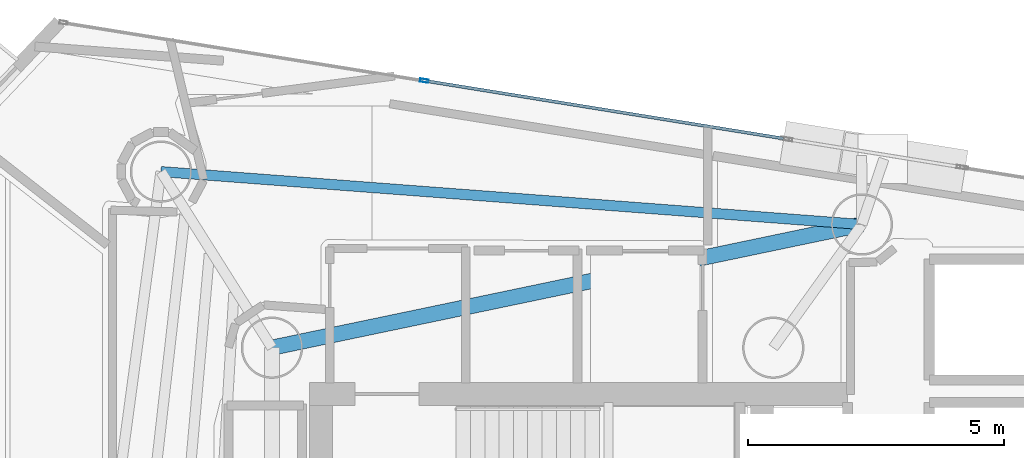
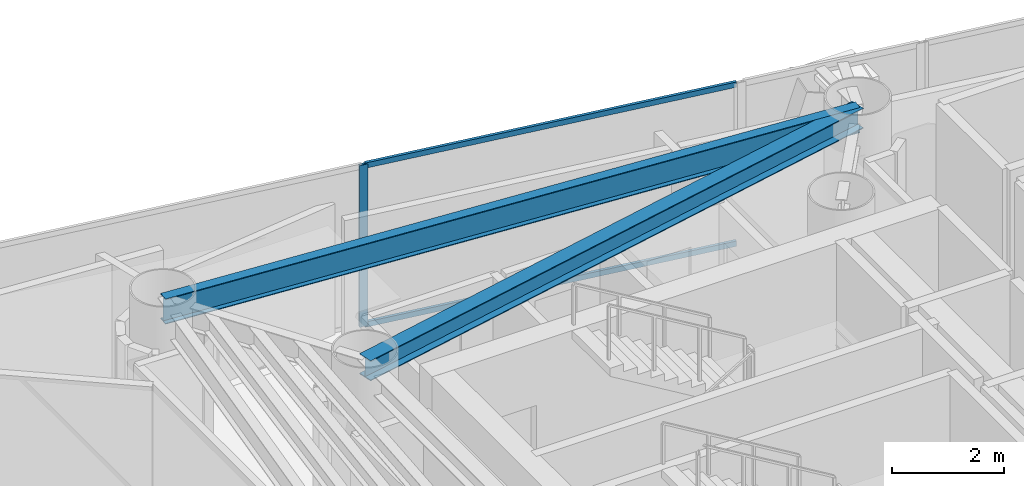
# One storey, part 10 of 21: 3 members, 2 beams, 1 element without a shape of its own.
"""IFC4 building model written with IfcOpenShell, lengths in metres."""

from ifc_helpers import new_model, si_unit, direction, frame, origin, origin_2d, place, context, subcontext, project, spatial, hollow_rectangle, i_section, extrude, material, layer, layer_set, material_profile, profile_set, type_object, element, aggregate, save


model = new_model("IFC4")

# Units and contexts
model_context = context("Model", 3, precision=1e-05, world=origin(), true_north=direction((0.0, 1.0)))
body_context = subcontext(model_context, "Body", "Model", "MODEL_VIEW")
ifc_project = project(units=[si_unit("LENGTHUNIT", "METRE"), si_unit("AREAUNIT", "SQUARE_METRE"), si_unit("VOLUMEUNIT", "CUBIC_METRE"), si_unit("PLANEANGLEUNIT", "RADIAN"), si_unit("MASSUNIT", "GRAM", prefix="KILO")], contexts=[model_context])

# Site, building, storey
site_placement = place(None, origin())
site = spatial("IfcSite", under=ifc_project, at=site_placement, CompositionType="ELEMENT")
building_placement = place(site_placement, origin())
building = spatial("IfcBuilding", under=site, at=building_placement, Name="Qianvela Tower", CompositionType="ELEMENT")
storey_placement = place(building_placement, frame((0.0, 0.0, 211.39990234375)))
storey = spatial("IfcBuildingStorey", under=building, at=storey_placement, Name="L54", CompositionType="ELEMENT", Elevation=211.39990234375)

# Beams
ifc_material_1 = material(Name="Steel Q355B", Category="steel")
ifc_material_profile_1 = material_profile(ifc_material_1, i_section(OverallWidth=0.300048828125, OverallDepth=0.43994140625, WebThickness=0.010986328125, FlangeThickness=0.01806640625, at=origin_2d()), Name="HM440x300x11x18")
ifc_profile_set_1 = profile_set([ifc_material_profile_1], Name="Steel Q355B")
beam_type_1 = type_object("IfcBeamType", Name="BM-HM440-COLL", PredefinedType="BEAM", material=ifc_profile_set_1)
beam_1_placement = place(storey_placement, frame((28.60009765625, 33.550048828125, 3.298095703125), z_axis=(0.978884270582, 0.204415226456, 0.0), x_axis=(-0.204415226456, 0.978884270582, 0.0)))
element("IfcBeam", 1, at=beam_1_placement, inside=storey, type_object=beam_type_1, Name="L54 Perimeter Ring Tie Girder 1B", PredefinedType="BEAM", context=body_context, shape_type="SweptSolid", body=[
    extrude(i_section(OverallWidth=0.300048828125, OverallDepth=0.43994140625, WebThickness=0.010986328125, FlangeThickness=0.01806640625, at=origin_2d()), origin(), (0.0, 0.0, 1.0), 11.77978515625),
])
ifc_material_2 = material(Name="Steel Q355B", Category="steel")
ifc_material_profile_2 = material_profile(ifc_material_2, i_section(OverallWidth=0.199951171875, OverallDepth=0.550048828125, WebThickness=0.010009765625, FlangeThickness=0.01611328125, at=origin_2d()), Name="HN550x200x10x16")
ifc_profile_set_2 = profile_set([ifc_material_profile_2], Name="Steel Q355B")
beam_type_2 = type_object("IfcBeamType", Name="BM-HN550-GIRD", PredefinedType="BEAM", material=ifc_profile_set_2)
beam_2_placement = place(storey_placement, frame((40.131103515625, 35.9580078125, 3.2431640625), z_axis=(-0.997164346928, 0.075254669065, 0.0), x_axis=(-0.075254669065, -0.997164346928, 0.0)))
element("IfcBeam", 2, at=beam_2_placement, inside=storey, type_object=beam_type_2, Name="L54 Perimeter Ring Spandrel Girder 2", PredefinedType="BEAM", context=body_context, shape_type="SweptSolid", body=[
    extrude(i_section(OverallWidth=0.199951171875, OverallDepth=0.550048828125, WebThickness=0.010009765625, FlangeThickness=0.01611328125, at=origin_2d()), origin(), (0.0, 0.0, 1.0), 13.7392578125),
])

# Curtain wall, members
ifc_material_3 = material(Name="Anodised Architectural Aluminium and Low-E Glass", Category="aluminium")
ifc_layer = layer(ifc_material_3, 0.159912109375)
ifc_layer_set = layer_set([ifc_layer], Name="Anodised Architectural Aluminium and Low-E Glass")
curtain_wall_type = type_object("IfcCurtainWallType", Name="CW-COLIV-Z56", PredefinedType="USERDEFINED", material=ifc_layer_set)
curtain_wall_placement = place(storey_placement, origin())
curtain_wall = element("IfcCurtainWall", 3, at=curtain_wall_placement, inside=storey, type_object=curtain_wall_type, Name="L54 CW-COLIV-Z56 Curtain Wall 02C", ObjectType="CURTAIN_WALL_SYSTEM", PredefinedType="USERDEFINED")
ifc_material_4 = material(Name="Anodised Architectural Aluminium 6063-T6", Category="aluminium")
ifc_material_profile_3 = material_profile(ifc_material_4, hollow_rectangle(XDim=0.06494140625, YDim=0.159912109375, WallThickness=0.0048828125, at=origin_2d()), Name="ALU-MULL-65x160")
ifc_profile_set_3 = profile_set([ifc_material_profile_3], Name="Anodised Architectural Aluminium 6063-T6")
member_type_1 = type_object("IfcMemberType", Name="CW-COLIV-Z56-MULL", PredefinedType="MULLION", material=ifc_profile_set_3)
member_1_placement = place(storey_placement, frame((31.57763671875, 38.76904296875, 0.0), z_axis=(0.0, 0.0, 1.0), x_axis=(-0.159067653846, -0.987267684825, 0.0)))
member_1 = element("IfcMember", 4, at=member_1_placement, type_object=member_type_1, Name="CW-5 mullion 2", PredefinedType="MULLION", context=body_context, shape_type="SweptSolid", body=[
    extrude(hollow_rectangle(XDim=0.06494140625, YDim=0.159912109375, WallThickness=0.0048828125, at=origin_2d()), origin(), (0.0, 0.0, 1.0), 3.52001953125),
])
ifc_material_5 = material(Name="Anodised Architectural Aluminium 6063-T6", Category="aluminium")
ifc_material_profile_4 = material_profile(ifc_material_5, hollow_rectangle(XDim=0.06005859375, YDim=0.114990234375, WallThickness=0.00390625, at=origin_2d()), Name="ALU-TRAN-60x115")
ifc_profile_set_4 = profile_set([ifc_material_profile_4], Name="Anodised Architectural Aluminium 6063-T6")
member_type_2 = type_object("IfcMemberType", Name="CW-COLIV-Z56-TRAN", PredefinedType="USERDEFINED", material=ifc_profile_set_4)
member_2_placement = place(storey_placement, frame((38.59619140625, 37.63818359375, 0.030029296875), z_axis=(-0.987270845438, 0.159048035975, 0.0), x_axis=(-0.159048035975, -0.987270845438, 0.0)))
member_2 = element("IfcMember", 5, at=member_2_placement, type_object=member_type_2, Name="CW-5 transom 1.1", ObjectType="TRANSOM", PredefinedType="USERDEFINED", context=body_context, shape_type="SweptSolid", body=[
    extrude(hollow_rectangle(XDim=0.06005859375, YDim=0.114990234375, WallThickness=0.00390625, at=origin_2d()), origin(), (0.0, 0.0, 1.0), 7.076416015625),
])
member_3_placement = place(storey_placement, frame((38.59619140625, 37.63818359375, 3.489990234375), z_axis=(-0.987270845438, 0.159048035975, 0.0), x_axis=(-0.159048035975, -0.987270845438, 0.0)))
member_3 = element("IfcMember", 6, at=member_3_placement, type_object=member_type_2, Name="CW-5 transom 1.2", ObjectType="TRANSOM", PredefinedType="USERDEFINED", context=body_context, shape_type="SweptSolid", body=[
    extrude(hollow_rectangle(XDim=0.06005859375, YDim=0.114990234375, WallThickness=0.00390625, at=origin_2d()), origin(), (0.0, 0.0, 1.0), 7.076416015625),
])
aggregate(curtain_wall, [member_1, member_2, member_3])

save(model, "model.ifc")
